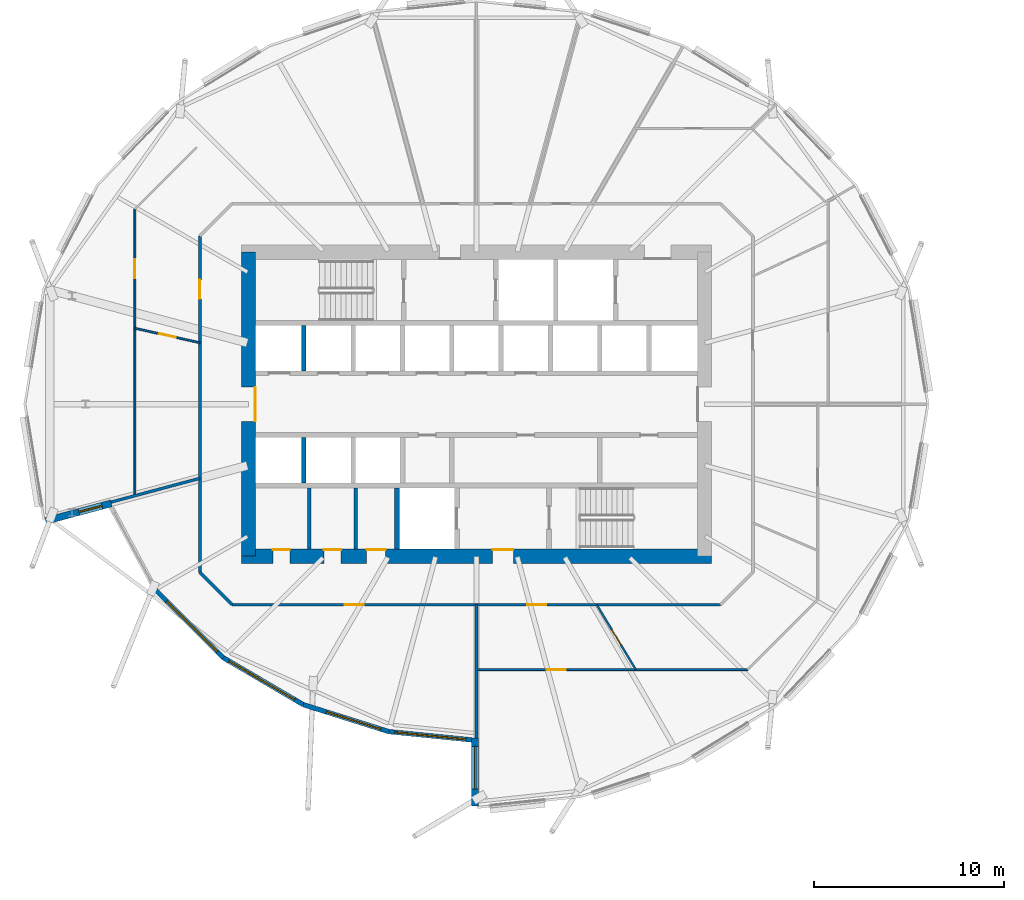
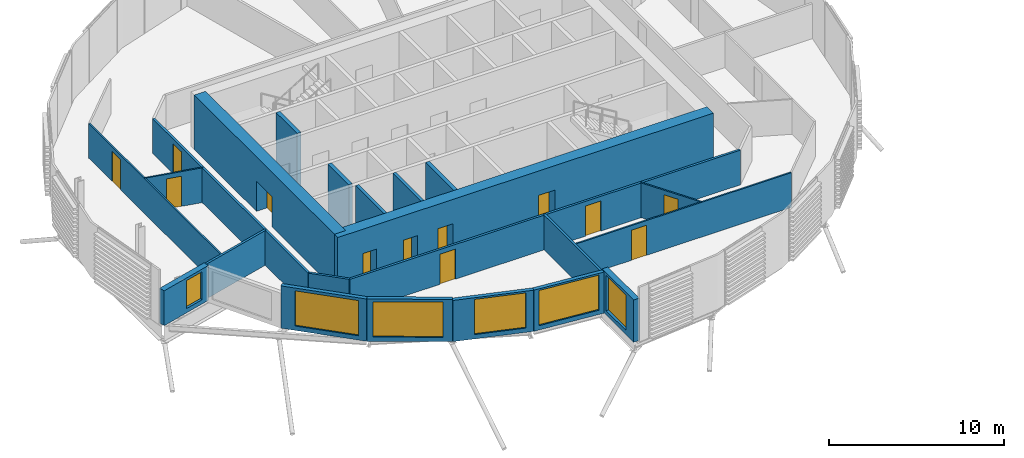
# One storey, part 21 of 40: 22 walls, 12 doors, 6 windows, 18 openings.
"""IFC4 building model written with IfcOpenShell, lengths in metres."""

from ifc_helpers import new_model, si_unit, direction, frame, frame_2d, origin, place, context, subcontext, project, spatial, rectangle, extrude, material, layer, layer_set, type_object, element, fill, save


model = new_model("IFC4")

# Units and contexts
model_context = context("Model", 3, precision=1e-05, world=origin(), true_north=direction((0.0, 1.0)))
body_context = subcontext(model_context, "Body", "Model", "MODEL_VIEW")
ifc_project = project(units=[si_unit("LENGTHUNIT", "METRE"), si_unit("AREAUNIT", "SQUARE_METRE"), si_unit("VOLUMEUNIT", "CUBIC_METRE"), si_unit("PLANEANGLEUNIT", "RADIAN"), si_unit("MASSUNIT", "GRAM", prefix="KILO")], contexts=[model_context])

# Site, building, storey
site_placement = place(None, origin())
site = spatial("IfcSite", under=ifc_project, at=site_placement, CompositionType="ELEMENT")
building_placement = place(site_placement, origin())
building = spatial("IfcBuilding", under=site, at=building_placement, Name="Rimbun Link Towers", CompositionType="ELEMENT")
storey_placement = place(building_placement, frame((0.0, 0.0, 89.199951171875)))
storey = spatial("IfcBuildingStorey", under=building, at=storey_placement, Name="L21", CompositionType="ELEMENT", Elevation=89.199951171875)

# Wall, opening, window
ifc_material_1 = material(Name="Dark enamelled glass spandrel on insulated aluminium backpan", Category="aluminium")
ifc_layer_1 = layer(ifc_material_1, 0.25)
ifc_layer_set_1 = layer_set([ifc_layer_1], Name="CS dark enamelled spandrel wall 250")
wall_type_1 = type_object("IfcWallType", Name="CS dark enamelled spandrel wall 250", PredefinedType="STANDARD", material=ifc_layer_set_1)
wall_1_placement = place(storey_placement, frame((-45.070068359375, -13.342529296875, 0.0), z_axis=(0.0, 0.0, 1.0), x_axis=(-0.706744230568, 0.707469146012, 0.0)))
wall_1 = element("IfcWall", 1, at=wall_1_placement, inside=storey, type_object=wall_type_1, Name="Crease spandrel wall", PredefinedType="STANDARD", context=body_context, shape_type="SweptSolid", body=[
    extrude(rectangle(XDim=5.0517578125, YDim=0.25, at=frame_2d((2.52587890625, 0.0))), origin(), (0.0, 0.0, 1.0), 2.946533203125),
])
opening_1_placement = place(wall_1_placement, frame((0.456298828125, 0.0, 0.300048828125)))
opening_1 = element("IfcOpeningElement", 2, at=opening_1_placement, cuts=wall_1, Name="Opening WR38H245", PredefinedType="OPENING", context=body_context, shape_type="SweptSolid", body=[
    extrude(rectangle(XDim=3.75, YDim=2.449951171875, at=frame_2d((1.875, 1.22509765625))), frame((0.0, 0.135009765625, 0.0), z_axis=(0.0, -1.0, 0.0), x_axis=(1.0, 0.0, 0.0)), (0.0, 0.0, 1.0), 0.27001953125),
])
ifc_material_2 = material(Name="Aluminium framed fixed window, dark tinted low-e glass", Category="aluminium")
window_type_1 = type_object("IfcWindowType", Name="WR ribbon window 3750X2450", PartitioningType="SINGLE_PANEL", PredefinedType="WINDOW", material=ifc_material_2)
window_1_placement = place(opening_1_placement, origin())
window_1 = element("IfcWindow", 3, at=window_1_placement, inside=storey, type_object=window_type_1, Name="Crease ribbon window", OverallHeight=2.449951171875, OverallWidth=3.75, PartitioningType="SINGLE_PANEL", PredefinedType="WINDOW", context=body_context, shape_type="SweptSolid", body=[
    extrude(rectangle(XDim=3.75, YDim=2.449951171875, at=frame_2d((1.875, 1.22509765625))), frame((0.0, 0.030029296875, 0.0), z_axis=(0.0, -1.0, 0.0), x_axis=(1.0, 0.0, 0.0)), (0.0, 0.0, 1.0), 0.06005859375),
])
fill(opening_1, window_1)

wall_2_placement = place(storey_placement, frame((-40.863037109375, -15.810791015625, 0.0), z_axis=(0.0, 0.0, 1.0), x_axis=(-0.862512671963, 0.506035463878, 0.0)))
wall_2 = element("IfcWall", 4, at=wall_2_placement, inside=storey, type_object=wall_type_1, Name="Crease spandrel wall", PredefinedType="STANDARD", context=body_context, shape_type="SweptSolid", body=[
    extrude(rectangle(XDim=4.877685546875, YDim=0.25, at=frame_2d((2.43896484375, 0.0))), origin(), (0.0, 0.0, 1.0), 2.946533203125),
])
opening_2_placement = place(wall_2_placement, frame((0.534912109375, 0.0, 0.300048828125)))
opening_2 = element("IfcOpeningElement", 5, at=opening_2_placement, cuts=wall_2, Name="Opening WR40H245", PredefinedType="OPENING", context=body_context, shape_type="SweptSolid", body=[
    extrude(rectangle(XDim=4.0, YDim=2.449951171875, at=frame_2d((2.0, 1.22509765625))), frame((0.0, 0.135009765625, 0.0), z_axis=(0.0, -1.0, 0.0), x_axis=(1.0, 0.0, 0.0)), (0.0, 0.0, 1.0), 0.27001953125),
])
ifc_material_3 = material(Name="Aluminium framed fixed window, dark tinted low-e glass", Category="aluminium")
window_type_2 = type_object("IfcWindowType", Name="WR ribbon window 4000X2450", PartitioningType="SINGLE_PANEL", PredefinedType="WINDOW", material=ifc_material_3)
window_2_placement = place(opening_2_placement, origin())
window_2 = element("IfcWindow", 6, at=window_2_placement, inside=storey, type_object=window_type_2, Name="Crease ribbon window", OverallHeight=2.449951171875, OverallWidth=4.0, PartitioningType="SINGLE_PANEL", PredefinedType="WINDOW", context=body_context, shape_type="SweptSolid", body=[
    extrude(rectangle(XDim=4.0, YDim=2.449951171875, at=frame_2d((2.0, 1.22509765625))), frame((0.0, 0.030029296875, 0.0), z_axis=(0.0, -1.0, 0.0), x_axis=(1.0, 0.0, 0.0)), (0.0, 0.0, 1.0), 0.06005859375),
])
fill(opening_2, window_2)

wall_3_placement = place(storey_placement, frame((-36.359375, -17.23095703125, 0.0), z_axis=(0.0, 0.0, 1.0), x_axis=(-0.953706819851, 0.300737928719, 0.0)))
wall_3 = element("IfcWall", 7, at=wall_3_placement, inside=storey, type_object=wall_type_1, Name="Crease spandrel wall", PredefinedType="STANDARD", context=body_context, shape_type="SweptSolid", body=[
    extrude(rectangle(XDim=4.72216796875, YDim=0.25, at=frame_2d((2.361083984375, 0.0))), origin(), (0.0, 0.0, 1.0), 2.867919921875),
])
opening_3_placement = place(wall_3_placement, frame((0.446044921875, 0.0, 0.300048828125)))
opening_3 = element("IfcOpeningElement", 8, at=opening_3_placement, cuts=wall_3, Name="Opening WR30H245", PredefinedType="OPENING", context=body_context, shape_type="SweptSolid", body=[
    extrude(rectangle(XDim=3.0, YDim=2.449951171875, at=frame_2d((1.5, 1.22509765625))), frame((0.0, 0.135009765625, 0.0), z_axis=(0.0, -1.0, 0.0), x_axis=(1.0, 0.0, 0.0)), (0.0, 0.0, 1.0), 0.27001953125),
])
ifc_material_4 = material(Name="Aluminium framed fixed window, dark tinted low-e glass", Category="aluminium")
window_type_3 = type_object("IfcWindowType", Name="WR ribbon window 3000X2450", PartitioningType="SINGLE_PANEL", PredefinedType="WINDOW", material=ifc_material_4)
window_3_placement = place(opening_3_placement, origin())
window_3 = element("IfcWindow", 9, at=window_3_placement, inside=storey, type_object=window_type_3, Name="Crease ribbon window", OverallHeight=2.449951171875, OverallWidth=3.0, PartitioningType="SINGLE_PANEL", PredefinedType="WINDOW", context=body_context, shape_type="SweptSolid", body=[
    extrude(rectangle(XDim=3.0, YDim=2.449951171875, at=frame_2d((1.5, 1.22509765625))), frame((0.0, 0.030029296875, 0.0), z_axis=(0.0, -1.0, 0.0), x_axis=(1.0, 0.0, 0.0)), (0.0, 0.0, 1.0), 0.06005859375),
])
fill(opening_3, window_3)

wall_4_placement = place(storey_placement, frame((-32.0, -17.666748046875, 0.0), z_axis=(0.0, 0.0, 1.0), x_axis=(-0.995040500105, 0.09947061451, 0.0)))
wall_4 = element("IfcWall", 10, at=wall_4_placement, inside=storey, type_object=wall_type_1, Name="Crease spandrel wall", PredefinedType="STANDARD", context=body_context, shape_type="SweptSolid", body=[
    extrude(rectangle(XDim=4.381103515625, YDim=0.25, at=frame_2d((2.1904296875, 0.0))), origin(), (0.0, 0.0, 1.0), 2.867919921875),
])
opening_4_placement = place(wall_4_placement, frame((0.3154296875, 0.0, 0.300048828125)))
opening_4 = element("IfcOpeningElement", 11, at=opening_4_placement, cuts=wall_4, Name="Opening WR38H245", PredefinedType="OPENING", context=body_context, shape_type="SweptSolid", body=[
    extrude(rectangle(XDim=3.75, YDim=2.449951171875, at=frame_2d((1.875, 1.22509765625))), frame((0.0, 0.135009765625, 0.0), z_axis=(0.0, -1.0, 0.0), x_axis=(1.0, 0.0, 0.0)), (0.0, 0.0, 1.0), 0.27001953125),
])
window_4_placement = place(opening_4_placement, origin())
window_4 = element("IfcWindow", 12, at=window_4_placement, inside=storey, type_object=window_type_1, Name="Crease ribbon window", OverallHeight=2.449951171875, OverallWidth=3.75, PartitioningType="SINGLE_PANEL", PredefinedType="WINDOW", context=body_context, shape_type="SweptSolid", body=[
    extrude(rectangle(XDim=3.75, YDim=2.449951171875, at=frame_2d((1.875, 1.22509765625))), frame((0.0, 0.030029296875, 0.0), z_axis=(0.0, -1.0, 0.0), x_axis=(1.0, 0.0, 0.0)), (0.0, 0.0, 1.0), 0.06005859375),
])
fill(opening_4, window_4)

ifc_material_5 = material(Name="Dark enamelled glass spandrel on insulated aluminium backpan", Category="aluminium")
ifc_layer_2 = layer(ifc_material_5, 0.3701171875)
ifc_layer_set_2 = layer_set([ifc_layer_2], Name="CS dark enamelled spandrel wall 370")
wall_type_2 = type_object("IfcWallType", Name="CS dark enamelled spandrel wall 370", PredefinedType="STANDARD", material=ifc_layer_set_2)
wall_5_placement = place(storey_placement, frame((-50.96142578125, -5.215087890625, 0.0), z_axis=(0.0, 0.0, 1.0), x_axis=(-0.965929787715, -0.258804260405, 0.0)))
wall_5 = element("IfcWall", 13, at=wall_5_placement, inside=storey, type_object=wall_type_2, Name="Crease spandrel wall", PredefinedType="STANDARD", context=body_context, shape_type="SweptSolid", body=[
    extrude(rectangle(XDim=3.580078125, YDim=0.3701171875, at=frame_2d((1.7900390625, 0.0))), origin(), (0.0, 0.0, 1.0), 2.429931640625),
])
opening_5_placement = place(wall_5_placement, frame((0.516357421875, 0.0, 0.300048828125)))
opening_5 = element("IfcOpeningElement", 14, at=opening_5_placement, cuts=wall_5, Name="Opening WR12H195", PredefinedType="OPENING", context=body_context, shape_type="SweptSolid", body=[
    extrude(rectangle(XDim=1.25, YDim=1.949951171875, at=frame_2d((0.625, 0.97509765625))), frame((0.0, 0.195068359375, 0.0), z_axis=(0.0, -1.0, 0.0), x_axis=(1.0, 0.0, 0.0)), (0.0, 0.0, 1.0), 0.39013671875),
])
ifc_material_6 = material(Name="Aluminium framed fixed window, dark tinted low-e glass", Category="aluminium")
window_type_4 = type_object("IfcWindowType", Name="WR ribbon window 1250X1950", PartitioningType="SINGLE_PANEL", PredefinedType="WINDOW", material=ifc_material_6)
window_5_placement = place(opening_5_placement, origin())
window_5 = element("IfcWindow", 15, at=window_5_placement, inside=storey, type_object=window_type_4, Name="Crease ribbon window", OverallHeight=1.949951171875, OverallWidth=1.25, PartitioningType="SINGLE_PANEL", PredefinedType="WINDOW", context=body_context, shape_type="SweptSolid", body=[
    extrude(rectangle(XDim=1.25, YDim=1.949951171875, at=frame_2d((0.625, 0.97509765625))), frame((0.0, 0.030029296875, 0.0), z_axis=(0.0, -1.0, 0.0), x_axis=(1.0, 0.0, 0.0)), (0.0, 0.0, 1.0), 0.06005859375),
])
fill(opening_5, window_5)

wall_6_placement = place(storey_placement, frame((-31.81494140625, -21.14599609375, 0.0), z_axis=(0.0, 0.0, 1.0), x_axis=(0.0, 1.0, 0.0)))
wall_6 = element("IfcWall", 16, at=wall_6_placement, inside=storey, type_object=wall_type_2, Name="Crease spandrel wall", PredefinedType="STANDARD", context=body_context, shape_type="SweptSolid", body=[
    extrude(rectangle(XDim=3.580078125, YDim=0.3701171875, at=frame_2d((1.7900390625, 0.0))), origin(), (0.0, 0.0, 1.0), 2.946533203125),
])
opening_6_placement = place(wall_6_placement, frame((0.885498046875, 0.0, 0.300048828125)))
opening_6 = element("IfcOpeningElement", 17, at=opening_6_placement, cuts=wall_6, Name="Opening WR22H245", PredefinedType="OPENING", context=body_context, shape_type="SweptSolid", body=[
    extrude(rectangle(XDim=2.25, YDim=2.449951171875, at=frame_2d((1.125, 1.22509765625))), frame((0.0, 0.195068359375, 0.0), z_axis=(0.0, -1.0, 0.0), x_axis=(1.0, 0.0, 0.0)), (0.0, 0.0, 1.0), 0.39013671875),
])
ifc_material_7 = material(Name="Aluminium framed fixed window, dark tinted low-e glass", Category="aluminium")
window_type_5 = type_object("IfcWindowType", Name="WR ribbon window 2250X2450", PartitioningType="SINGLE_PANEL", PredefinedType="WINDOW", material=ifc_material_7)
window_6_placement = place(opening_6_placement, origin())
window_6 = element("IfcWindow", 18, at=window_6_placement, inside=storey, type_object=window_type_5, Name="Crease ribbon window", OverallHeight=2.449951171875, OverallWidth=2.25, PartitioningType="SINGLE_PANEL", PredefinedType="WINDOW", context=body_context, shape_type="SweptSolid", body=[
    extrude(rectangle(XDim=2.25, YDim=2.449951171875, at=frame_2d((1.125, 1.22509765625))), frame((0.0, 0.030029296875, 0.0), z_axis=(0.0, -1.0, 0.0), x_axis=(1.0, 0.0, 0.0)), (0.0, 0.0, 1.0), 0.06005859375),
])
fill(opening_6, window_6)

# Walls
ifc_material_8 = material(Name="Masonry blockwork", Category="masonry")
ifc_layer_3 = layer(ifc_material_8, 0.199951171875)
ifc_layer_set_3 = layer_set([ifc_layer_3], Name="Core partition 200")
wall_type_3 = type_object("IfcWallType", Name="Core partition 200", PredefinedType="PARTITIONING", material=ifc_layer_set_3)
for number, where, z_axis, x_axis, name in (
    (19, (-40.550048828125, -4.39990234375, 0.0), (0.0, 0.0, 1.0), (0.0, -1.0, 0.0), "L21 T1 core wall C1"),
    (20, (-38.10009765625, -4.39990234375, 0.0), (0.0, 0.0, 1.0), (0.0, -1.0, 0.0), "L21 T1 core wall C2"),
):
    element("IfcWall", number, at=place(storey_placement, frame(where, z_axis=z_axis, x_axis=x_axis)), inside=storey, type_object=wall_type_3, Name=name, PredefinedType="PARTITIONING", context=body_context, shape_type="SweptSolid", body=[
        extrude(rectangle(XDim=3.22509765625, YDim=0.199951171875, at=frame_2d((1.612548828125, 0.0))), origin(), (0.0, 0.0, 1.0), 3.800048828125),
    ])

# Wall, openings, doors
ifc_material_9 = material(Name="Concrete C60/75", Category="concrete")
ifc_layer_4 = layer(ifc_material_9, 0.75)
ifc_layer_set_4 = layer_set([ifc_layer_4], Name="Core shear wall 750")
wall_type_4 = type_object("IfcWallType", Name="Core shear wall 750", PredefinedType="SHEAR", material=ifc_layer_set_4)
wall_7_placement = place(storey_placement, frame((-44.125, -8.0, 0.0), z_axis=(0.0, 0.0, 1.0), x_axis=(1.0, 0.0, 0.0)))
wall_7 = element("IfcWall", 21, at=wall_7_placement, inside=storey, type_object=wall_type_4, Name="L21 T1 core wall S", PredefinedType="SHEAR", context=body_context, shape_type="SweptSolid", body=[
    extrude(rectangle(XDim=24.75, YDim=0.75, at=frame_2d((12.375, 0.0))), origin(), (0.0, 0.0, 1.0), 3.800048828125),
])
opening_7_placement = place(wall_7_placement, frame((13.22509765625, 0.0, 0.0)))
opening_7 = element("IfcOpeningElement", 22, at=opening_7_placement, cuts=wall_7, Name="Opening C1DCF01S", PredefinedType="OPENING", context=body_context, shape_type="SweptSolid", body=[
    extrude(rectangle(XDim=1.10009765625, YDim=2.10009765625, at=frame_2d((0.550048828125, 1.050048828125))), frame((0.0, 0.385009765625, 0.0), z_axis=(0.0, -1.0, 0.0), x_axis=(1.0, 0.0, 0.0)), (0.0, 0.0, 1.0), 0.77001953125),
])
opening_8_placement = place(wall_7_placement, frame((1.66259765625, 0.0, 0.0)))
opening_8 = element("IfcOpeningElement", 23, at=opening_8_placement, cuts=wall_7, Name="Opening C1DWC02S", PredefinedType="OPENING", context=body_context, shape_type="SweptSolid", body=[
    extrude(rectangle(XDim=0.89990234375, YDim=2.10009765625, at=frame_2d((0.449951171875, 1.050048828125))), frame((0.0, 0.385009765625, 0.0), z_axis=(0.0, -1.0, 0.0), x_axis=(1.0, 0.0, 0.0)), (0.0, 0.0, 1.0), 0.77001953125),
])
opening_9_placement = place(wall_7_placement, frame((4.35009765625, 0.0, 0.0)))
opening_9 = element("IfcOpeningElement", 24, at=opening_9_placement, cuts=wall_7, Name="Opening C1DWC03S", PredefinedType="OPENING", context=body_context, shape_type="SweptSolid", body=[
    extrude(rectangle(XDim=0.89990234375, YDim=2.10009765625, at=frame_2d((0.449951171875, 1.050048828125))), frame((0.0, 0.385009765625, 0.0), z_axis=(0.0, -1.0, 0.0), x_axis=(1.0, 0.0, 0.0)), (0.0, 0.0, 1.0), 0.77001953125),
])
opening_10_placement = place(wall_7_placement, frame((6.60009765625, 0.0, 0.0)))
opening_10 = element("IfcOpeningElement", 25, at=opening_10_placement, cuts=wall_7, Name="Opening C1DAW04S", PredefinedType="OPENING", context=body_context, shape_type="SweptSolid", body=[
    extrude(rectangle(XDim=1.0, YDim=2.10009765625, at=frame_2d((0.5, 1.050048828125))), frame((0.0, 0.385009765625, 0.0), z_axis=(0.0, -1.0, 0.0), x_axis=(1.0, 0.0, 0.0)), (0.0, 0.0, 1.0), 0.77001953125),
])
ifc_material_10 = material(Name="Timber", Category="wood")
door_type_1 = type_object("IfcDoorType", Name="Accessible WC door", OperationType="SINGLE_SWING_LEFT", PredefinedType="DOOR", material=ifc_material_10)
door_1_placement = place(opening_10_placement, origin())
door_1 = element("IfcDoor", 26, at=door_1_placement, inside=storey, type_object=door_type_1, Name="L21 T1 accessible wc door", OperationType="SINGLE_SWING_RIGHT", OverallHeight=2.10009765625, OverallWidth=1.0, PredefinedType="DOOR", context=body_context, shape_type="SweptSolid", body=[
    extrude(rectangle(XDim=1.0, YDim=2.10009765625, at=frame_2d((0.5, 1.050048828125))), frame((0.0, 0.375, 0.0), z_axis=(0.0, -1.0, 0.0), x_axis=(1.0, 0.0, 0.0)), (0.0, 0.0, 1.0), 0.050048828125),
])
fill(opening_10, door_1)
ifc_material_11 = material(Name="Steel fire door set", Category="steel")
door_type_2 = type_object("IfcDoorType", Name="Core fire door single", OperationType="SINGLE_SWING_LEFT", PredefinedType="DOOR", material=ifc_material_11)
door_2_placement = place(opening_7_placement, origin())
door_2 = element("IfcDoor", 27, at=door_2_placement, inside=storey, type_object=door_type_2, Name="L21 T1 firefighting lobby s door", OperationType="SINGLE_SWING_RIGHT", OverallHeight=2.10009765625, OverallWidth=1.10009765625, PredefinedType="DOOR", context=body_context, shape_type="SweptSolid", body=[
    extrude(rectangle(XDim=1.10009765625, YDim=2.10009765625, at=frame_2d((0.550048828125, 1.050048828125))), frame((0.0, 0.375, 0.0), z_axis=(0.0, -1.0, 0.0), x_axis=(1.0, 0.0, 0.0)), (0.0, 0.0, 1.0), 0.050048828125),
])
fill(opening_7, door_2)
ifc_material_12 = material(Name="Timber", Category="wood")
door_type_3 = type_object("IfcDoorType", Name="WC door", OperationType="SINGLE_SWING_LEFT", PredefinedType="DOOR", material=ifc_material_12)
door_3_placement = place(opening_8_placement, origin())
door_3 = element("IfcDoor", 28, at=door_3_placement, inside=storey, type_object=door_type_3, Name="L21 T1 male wc door", OperationType="SINGLE_SWING_LEFT", OverallHeight=2.10009765625, OverallWidth=0.89990234375, PredefinedType="DOOR", context=body_context, shape_type="SweptSolid", body=[
    extrude(rectangle(XDim=0.89990234375, YDim=2.10009765625, at=frame_2d((0.449951171875, 1.050048828125))), frame((0.0, 0.375, 0.0), z_axis=(0.0, -1.0, 0.0), x_axis=(1.0, 0.0, 0.0)), (0.0, 0.0, 1.0), 0.050048828125),
])
fill(opening_8, door_3)
door_4_placement = place(opening_9_placement, origin())
door_4 = element("IfcDoor", 29, at=door_4_placement, inside=storey, type_object=door_type_3, Name="L21 T1 female wc door", OperationType="SINGLE_SWING_RIGHT", OverallHeight=2.10009765625, OverallWidth=0.89990234375, PredefinedType="DOOR", context=body_context, shape_type="SweptSolid", body=[
    extrude(rectangle(XDim=0.89990234375, YDim=2.10009765625, at=frame_2d((0.449951171875, 1.050048828125))), frame((0.0, 0.375, 0.0), z_axis=(0.0, -1.0, 0.0), x_axis=(1.0, 0.0, 0.0)), (0.0, 0.0, 1.0), 0.050048828125),
])
fill(opening_9, door_4)

# Wall, opening, door
wall_8_placement = place(storey_placement, frame((-43.75, -8.0, 0.0), z_axis=(0.0, 0.0, 1.0), x_axis=(0.0, 1.0, 0.0)))
wall_8 = element("IfcWall", 30, at=wall_8_placement, inside=storey, type_object=wall_type_4, Name="L21 T1 core wall W", PredefinedType="SHEAR", context=body_context, shape_type="SweptSolid", body=[
    extrude(rectangle(XDim=16.0, YDim=0.75, at=frame_2d((8.0, 0.0))), origin(), (0.0, 0.0, 1.0), 3.800048828125),
])
opening_11_placement = place(wall_8_placement, frame((7.10009765625, 0.0, 0.0)))
opening_11 = element("IfcOpeningElement", 31, at=opening_11_placement, cuts=wall_8, Name="Opening C1DCL01W", PredefinedType="OPENING", context=body_context, shape_type="SweptSolid", body=[
    extrude(rectangle(XDim=1.800048828125, YDim=2.10009765625, at=frame_2d((0.89990234375, 1.050048828125))), frame((0.0, 0.385009765625, 0.0), z_axis=(0.0, -1.0, 0.0), x_axis=(1.0, 0.0, 0.0)), (0.0, 0.0, 1.0), 0.77001953125),
])
ifc_material_13 = material(Name="Steel fire door set", Category="steel")
door_type_4 = type_object("IfcDoorType", Name="Core lobby door double", OperationType="DOUBLE_DOOR_SINGLE_SWING", PredefinedType="DOOR", material=ifc_material_13)
door_5_placement = place(opening_11_placement, origin())
door_5 = element("IfcDoor", 32, at=door_5_placement, inside=storey, type_object=door_type_4, Name="L21 T1 lift lobby door", OperationType="DOUBLE_DOOR_SINGLE_SWING", OverallHeight=2.10009765625, OverallWidth=1.800048828125, PredefinedType="DOOR", context=body_context, shape_type="SweptSolid", body=[
    extrude(rectangle(XDim=1.800048828125, YDim=2.10009765625, at=frame_2d((0.89990234375, 1.050048828125))), frame((0.0, -0.3251953125, 0.0), z_axis=(0.0, -1.0, 0.0), x_axis=(1.0, 0.0, 0.0)), (0.0, 0.0, 1.0), 0.050048828125),
])
fill(opening_11, door_5)

# Wall, openings, doors
ifc_material_14 = material(Name="Plasterboard on steel stud, mineral wool", Category="steel")
ifc_layer_5 = layer(ifc_material_14, 0.14990234375)
ifc_layer_set_5 = layer_set([ifc_layer_5], Name="Corridor wall EI 30 150 mm")
wall_type_5 = type_object("IfcWallType", Name="Corridor wall EI 30 150 mm", PredefinedType="PARTITIONING", material=ifc_layer_set_5)
wall_9_placement = place(storey_placement, frame((-18.898193359375, -10.550048828125, 0.0), z_axis=(0.0, 0.0, 1.0), x_axis=(-1.0, 0.0, 0.0)))
wall_9 = element("IfcWall", 33, at=wall_9_placement, inside=storey, type_object=wall_type_5, Name="Corridor wall EI 30 150 mm", PredefinedType="PARTITIONING", context=body_context, shape_type="SweptSolid", body=[
    extrude(rectangle(XDim=25.70361328125, YDim=0.14990234375, at=frame_2d((12.851806640625, 0.0))), origin(), (0.0, 0.0, 1.0), 2.420166015625),
])
opening_12_placement = place(wall_9_placement, frame((9.184326171875, 0.0, 0.0)))
opening_12 = element("IfcOpeningElement", 34, at=opening_12_placement, cuts=wall_9, Name="Opening D01", PredefinedType="OPENING", context=body_context, shape_type="SweptSolid", body=[
    extrude(rectangle(XDim=1.0, YDim=2.10009765625, at=frame_2d((0.5, 1.050048828125))), frame((0.0, 0.0849609375, 0.0), z_axis=(0.0, -1.0, 0.0), x_axis=(1.0, 0.0, 0.0)), (0.0, 0.0, 1.0), 0.169921875),
])
opening_13_placement = place(wall_9_placement, frame((18.777587890625, 0.0, 0.0)))
opening_13 = element("IfcOpeningElement", 35, at=opening_13_placement, cuts=wall_9, Name="Opening D01", PredefinedType="OPENING", context=body_context, shape_type="SweptSolid", body=[
    extrude(rectangle(XDim=1.0, YDim=2.10009765625, at=frame_2d((0.5, 1.050048828125))), frame((0.0, 0.0849609375, 0.0), z_axis=(0.0, -1.0, 0.0), x_axis=(1.0, 0.0, 0.0)), (0.0, 0.0, 1.0), 0.169921875),
])
ifc_material_15 = material(Name="Fire-resisting timber door leaf", Category="wood")
door_type_5 = type_object("IfcDoorType", Name="Fire door FD30S 1000", OperationType="NOTDEFINED", PredefinedType="DOOR", material=ifc_material_15)
door_6_placement = place(opening_12_placement, origin())
door_6 = element("IfcDoor", 36, at=door_6_placement, inside=storey, type_object=door_type_5, Name="Fire door FD30S 1000 to Reception", OperationType="SINGLE_SWING_LEFT", OverallHeight=2.10009765625, OverallWidth=1.0, PredefinedType="DOOR", context=body_context, shape_type="SweptSolid", body=[
    extrude(rectangle(XDim=1.0, YDim=2.10009765625, at=frame_2d((0.5, 1.050048828125))), frame((0.0, 0.02490234375, 0.0), z_axis=(0.0, -1.0, 0.0), x_axis=(1.0, 0.0, 0.0)), (0.0, 0.0, 1.0), 0.050048828125),
])
fill(opening_12, door_6)
door_7_placement = place(opening_13_placement, origin())
door_7 = element("IfcDoor", 37, at=door_7_placement, inside=storey, type_object=door_type_5, Name="Fire door FD30S 1000 to Terrace office", OperationType="SINGLE_SWING_LEFT", OverallHeight=2.10009765625, OverallWidth=1.0, PredefinedType="DOOR", context=body_context, shape_type="SweptSolid", body=[
    extrude(rectangle(XDim=1.0, YDim=2.10009765625, at=frame_2d((0.5, 1.050048828125))), frame((0.0, 0.02490234375, 0.0), z_axis=(0.0, -1.0, 0.0), x_axis=(1.0, 0.0, 0.0)), (0.0, 0.0, 1.0), 0.050048828125),
])
fill(opening_13, door_7)

# Wall
wall_10_placement = place(storey_placement, frame((-46.300048828125, -8.851806640625, 0.0), z_axis=(0.0, 0.0, 1.0), x_axis=(0.707106781187, -0.707106781187, 0.0)))
element("IfcWall", 38, at=wall_10_placement, inside=storey, type_object=wall_type_5, Name="Corridor wall EI 30 150 mm", PredefinedType="PARTITIONING", context=body_context, shape_type="SweptSolid", body=[
    extrude(rectangle(XDim=2.401611328125, YDim=0.14990234375, at=frame_2d((1.20068359375, 0.0))), origin(), (0.0, 0.0, 1.0), 2.420166015625),
])

# Wall, opening, door
wall_11_placement = place(storey_placement, frame((-46.300048828125, -8.851806640625, 0.0), z_axis=(0.0, 0.0, 1.0), x_axis=(0.0, 1.0, 0.0)))
wall_11 = element("IfcWall", 39, at=wall_11_placement, inside=storey, type_object=wall_type_5, Name="Corridor wall EI 30 150 mm", PredefinedType="PARTITIONING", context=body_context, shape_type="SweptSolid", body=[
    extrude(rectangle(XDim=17.70361328125, YDim=0.14990234375, at=frame_2d((8.851806640625, 0.0))), origin(), (0.0, 0.0, 1.0), 2.420166015625),
])
opening_14_placement = place(wall_11_placement, frame((14.39501953125, 0.0, 0.0)))
opening_14 = element("IfcOpeningElement", 40, at=opening_14_placement, cuts=wall_11, Name="Opening D01", PredefinedType="OPENING", context=body_context, shape_type="SweptSolid", body=[
    extrude(rectangle(XDim=1.0, YDim=2.10009765625, at=frame_2d((0.5, 1.050048828125))), frame((0.0, 0.0849609375, 0.0), z_axis=(0.0, -1.0, 0.0), x_axis=(1.0, 0.0, 0.0)), (0.0, 0.0, 1.0), 0.169921875),
])
door_8_placement = place(opening_14_placement, origin())
door_8 = element("IfcDoor", 41, at=door_8_placement, inside=storey, type_object=door_type_5, Name="Fire door FD30S 1000 to Reception", OperationType="SINGLE_SWING_RIGHT", OverallHeight=2.10009765625, OverallWidth=1.0, PredefinedType="DOOR", context=body_context, shape_type="SweptSolid", body=[
    extrude(rectangle(XDim=1.0, YDim=2.10009765625, at=frame_2d((0.5, 1.050048828125))), frame((0.0, 0.02490234375, 0.0), z_axis=(0.0, -1.0, 0.0), x_axis=(1.0, 0.0, 0.0)), (0.0, 0.0, 1.0), 0.050048828125),
])
fill(opening_14, door_8)

ifc_material_16 = material(Name="Plasterboard on steel stud", Category="steel")
ifc_layer_6 = layer(ifc_material_16, 0.10009765625)
ifc_layer_set_6 = layer_set([ifc_layer_6], Name="Plasterboard partition 100 mm")
wall_type_6 = type_object("IfcWallType", Name="Plasterboard partition 100 mm", PredefinedType="PARTITIONING", material=ifc_layer_set_6)
wall_12_placement = place(storey_placement, frame((-25.415283203125, -10.550048828125, 0.0), z_axis=(0.0, 0.0, 1.0), x_axis=(0.514774739867, -0.857325473315, 0.0)))
wall_12 = element("IfcWall", 42, at=wall_12_placement, inside=storey, type_object=wall_type_6, Name="Plasterboard partition 100 mm", PredefinedType="PARTITIONING", context=body_context, shape_type="SweptSolid", body=[
    extrude(rectangle(XDim=3.989013671875, YDim=0.10009765625, at=frame_2d((1.99462890625, 0.0))), origin(), (0.0, 0.0, 1.0), 2.420166015625),
])
opening_15_placement = place(wall_12_placement, frame((1.544677734375, 0.0, 0.0)))
opening_15 = element("IfcOpeningElement", 43, at=opening_15_placement, cuts=wall_12, Name="Opening D04", PredefinedType="OPENING", context=body_context, shape_type="SweptSolid", body=[
    extrude(rectangle(XDim=0.89990234375, YDim=2.10009765625, at=frame_2d((0.449951171875, 1.050048828125))), frame((0.0, 0.06005859375, 0.0), z_axis=(0.0, -1.0, 0.0), x_axis=(1.0, 0.0, 0.0)), (0.0, 0.0, 1.0), 0.1201171875),
])
ifc_material_17 = material(Name="Timber door leaf", Category="wood")
door_type_6 = type_object("IfcDoorType", Name="Flush door 900", OperationType="NOTDEFINED", PredefinedType="DOOR", material=ifc_material_17)
door_9_placement = place(opening_15_placement, origin())
door_9 = element("IfcDoor", 44, at=door_9_placement, inside=storey, type_object=door_type_6, Name="Flush door 900 to Meeting room", OperationType="SINGLE_SWING_RIGHT", OverallHeight=2.10009765625, OverallWidth=0.89990234375, PredefinedType="DOOR", context=body_context, shape_type="SweptSolid", body=[
    extrude(rectangle(XDim=0.89990234375, YDim=2.10009765625, at=frame_2d((0.449951171875, 1.050048828125))), frame((0.0, 0.02490234375, 0.0), z_axis=(0.0, -1.0, 0.0), x_axis=(1.0, 0.0, 0.0)), (0.0, 0.0, 1.0), 0.050048828125),
])
fill(opening_15, door_9)

wall_13_placement = place(storey_placement, frame((-17.481689453125, -13.969970703125, 0.0), z_axis=(0.0, 0.0, 1.0), x_axis=(-1.0, 0.0, 0.0)))
wall_13 = element("IfcWall", 45, at=wall_13_placement, inside=storey, type_object=wall_type_6, Name="Plasterboard partition 100 mm", PredefinedType="PARTITIONING", context=body_context, shape_type="SweptSolid", body=[
    extrude(rectangle(XDim=14.268310546875, YDim=0.10009765625, at=frame_2d((7.13427734375, 0.0))), origin(), (0.0, 0.0, 1.0), 2.420166015625),
])
opening_16_placement = place(wall_13_placement, frame((9.55908203125, 0.0, 0.0)))
opening_16 = element("IfcOpeningElement", 46, at=opening_16_placement, cuts=wall_13, Name="Opening D03", PredefinedType="OPENING", context=body_context, shape_type="SweptSolid", body=[
    extrude(rectangle(XDim=1.0, YDim=2.10009765625, at=frame_2d((0.5, 1.050048828125))), frame((0.0, 0.06005859375, 0.0), z_axis=(0.0, -1.0, 0.0), x_axis=(1.0, 0.0, 0.0)), (0.0, 0.0, 1.0), 0.1201171875),
])
ifc_material_18 = material(Name="Timber door leaf", Category="wood")
door_type_7 = type_object("IfcDoorType", Name="Flush door 1000", OperationType="NOTDEFINED", PredefinedType="DOOR", material=ifc_material_18)
door_10_placement = place(opening_16_placement, origin())
door_10 = element("IfcDoor", 47, at=door_10_placement, inside=storey, type_object=door_type_7, Name="Flush door 1000 to Open office", OperationType="SINGLE_SWING_LEFT", OverallHeight=2.10009765625, OverallWidth=1.0, PredefinedType="DOOR", context=body_context, shape_type="SweptSolid", body=[
    extrude(rectangle(XDim=1.0, YDim=2.10009765625, at=frame_2d((0.5, 1.050048828125))), frame((0.0, 0.02490234375, 0.0), z_axis=(0.0, -1.0, 0.0), x_axis=(1.0, 0.0, 0.0)), (0.0, 0.0, 1.0), 0.050048828125),
])
fill(opening_16, door_10)

wall_14_placement = place(storey_placement, frame((-46.300048828125, 3.235107421875, 0.0), z_axis=(0.0, 0.0, 1.0), x_axis=(-0.976155896555, 0.217070646614, 0.0)))
wall_14 = element("IfcWall", 48, at=wall_14_placement, inside=storey, type_object=wall_type_6, Name="Plasterboard partition 100 mm", PredefinedType="PARTITIONING", context=body_context, shape_type="SweptSolid", body=[
    extrude(rectangle(XDim=3.50341796875, YDim=0.10009765625, at=frame_2d((1.751708984375, 0.0))), origin(), (0.0, 0.0, 1.0), 2.420166015625),
])
opening_17_placement = place(wall_14_placement, frame((1.3017578125, 0.0, 0.0)))
opening_17 = element("IfcOpeningElement", 49, at=opening_17_placement, cuts=wall_14, Name="Opening D04", PredefinedType="OPENING", context=body_context, shape_type="SweptSolid", body=[
    extrude(rectangle(XDim=0.89990234375, YDim=2.10009765625, at=frame_2d((0.449951171875, 1.050048828125))), frame((0.0, 0.06005859375, 0.0), z_axis=(0.0, -1.0, 0.0), x_axis=(1.0, 0.0, 0.0)), (0.0, 0.0, 1.0), 0.1201171875),
])
door_11_placement = place(opening_17_placement, origin())
door_11 = element("IfcDoor", 50, at=door_11_placement, inside=storey, type_object=door_type_6, Name="Flush door 900 to Meeting room", OperationType="SINGLE_SWING_RIGHT", OverallHeight=2.10009765625, OverallWidth=0.89990234375, PredefinedType="DOOR", context=body_context, shape_type="SweptSolid", body=[
    extrude(rectangle(XDim=0.89990234375, YDim=2.10009765625, at=frame_2d((0.449951171875, 1.050048828125))), frame((0.0, 0.02490234375, 0.0), z_axis=(0.0, -1.0, 0.0), x_axis=(1.0, 0.0, 0.0)), (0.0, 0.0, 1.0), 0.050048828125),
])
fill(opening_17, door_11)

wall_15_placement = place(storey_placement, frame((-49.719970703125, -4.81494140625, 0.0), z_axis=(0.0, 0.0, 1.0), x_axis=(0.0, 1.0, 0.0)))
wall_15 = element("IfcWall", 51, at=wall_15_placement, inside=storey, type_object=wall_type_6, Name="Plasterboard partition 100 mm", PredefinedType="PARTITIONING", context=body_context, shape_type="SweptSolid", body=[
    extrude(rectangle(XDim=15.083251953125, YDim=0.10009765625, at=frame_2d((7.54150390625, 0.0))), origin(), (0.0, 0.0, 1.0), 2.420166015625),
])
opening_18_placement = place(wall_15_placement, frame((11.431640625, 0.0, 0.0)))
opening_18 = element("IfcOpeningElement", 52, at=opening_18_placement, cuts=wall_15, Name="Opening D03", PredefinedType="OPENING", context=body_context, shape_type="SweptSolid", body=[
    extrude(rectangle(XDim=1.0, YDim=2.10009765625, at=frame_2d((0.5, 1.050048828125))), frame((0.0, 0.06005859375, 0.0), z_axis=(0.0, -1.0, 0.0), x_axis=(1.0, 0.0, 0.0)), (0.0, 0.0, 1.0), 0.1201171875),
])
door_12_placement = place(opening_18_placement, origin())
door_12 = element("IfcDoor", 53, at=door_12_placement, inside=storey, type_object=door_type_7, Name="Flush door 1000 to Open office", OperationType="SINGLE_SWING_LEFT", OverallHeight=2.10009765625, OverallWidth=1.0, PredefinedType="DOOR", context=body_context, shape_type="SweptSolid", body=[
    extrude(rectangle(XDim=1.0, YDim=2.10009765625, at=frame_2d((0.5, 1.050048828125))), frame((0.0, 0.02490234375, 0.0), z_axis=(0.0, -1.0, 0.0), x_axis=(1.0, 0.0, 0.0)), (0.0, 0.0, 1.0), 0.050048828125),
])
fill(opening_18, door_12)

# Walls
ifc_material_19 = material(Name="Concrete C60/75", Category="concrete")
ifc_layer_7 = layer(ifc_material_19, 0.25)
ifc_layer_set_7 = layer_set([ifc_layer_7], Name="Shaft wall 250")
wall_type_7 = type_object("IfcWallType", Name="Shaft wall 250", PredefinedType="SHEAR", material=ifc_layer_set_7)
for number, where, z_axis, x_axis, name in (
    (54, (-40.83056640625, 1.75, 0.0), (0.0, 0.0, 1.0), (0.0, 1.0, 0.0), "L21 T1 core wall DN0"),
    (55, (-40.83056640625, -4.14990234375, 0.0), (0.0, 0.0, 1.0), (0.0, 1.0, 0.0), "L21 T1 core wall DS0"),
):
    element("IfcWall", number, at=place(storey_placement, frame(where, z_axis=z_axis, x_axis=x_axis)), inside=storey, type_object=wall_type_7, Name=name, PredefinedType="SHEAR", context=body_context, shape_type="SweptSolid", body=[
        extrude(rectangle(XDim=2.39990234375, YDim=0.25, at=frame_2d((1.199951171875, 0.0))), origin(), (0.0, 0.0, 1.0), 3.800048828125),
    ])
wall_16_placement = place(storey_placement, frame((-35.925048828125, -4.39990234375, 0.0), z_axis=(0.0, 0.0, 1.0), x_axis=(0.0, -1.0, 0.0)))
element("IfcWall", 56, at=wall_16_placement, inside=storey, type_object=wall_type_7, Name="L21 T1 core wall B3", PredefinedType="SHEAR", context=body_context, shape_type="SweptSolid", body=[
    extrude(rectangle(XDim=3.22509765625, YDim=0.25, at=frame_2d((1.612548828125, 0.0))), origin(), (0.0, 0.0, 1.0), 3.800048828125),
])
ifc_material_20 = material(Name="Plasterboard on steel stud, mineral wool", Category="steel")
ifc_layer_8 = layer(ifc_material_20, 0.14990234375)
ifc_layer_set_8 = layer_set([ifc_layer_8], Name="Tenancy separation wall EI 60 150 mm")
wall_type_8 = type_object("IfcWallType", Name="Tenancy separation wall EI 60 150 mm", PredefinedType="PARTITIONING", material=ifc_layer_set_8)
wall_17_placement = place(storey_placement, frame((-46.300048828125, -3.898681640625, 0.0), z_axis=(0.0, 0.0, 1.0), x_axis=(-0.965931401586, -0.258798236914, 0.0)))
element("IfcWall", 57, at=wall_17_placement, inside=storey, type_object=wall_type_8, Name="Tenancy separation wall EI 60 150 mm", PredefinedType="PARTITIONING", context=body_context, shape_type="SweptSolid", body=[
    extrude(rectangle(XDim=4.84326171875, YDim=0.14990234375, at=frame_2d((2.421630859375, 0.0))), origin(), (0.0, 0.0, 1.0), 2.420166015625),
])
wall_18_placement = place(storey_placement, frame((-31.75, -10.550048828125, 0.0), z_axis=(0.0, 0.0, 1.0), x_axis=(0.0, -1.0, 0.0)))
element("IfcWall", 58, at=wall_18_placement, inside=storey, type_object=wall_type_8, Name="Tenancy separation wall EI 60 150 mm", PredefinedType="PARTITIONING", context=body_context, shape_type="SweptSolid", body=[
    extrude(rectangle(XDim=7.015869140625, YDim=0.14990234375, at=frame_2d((3.5078125, 0.0))), origin(), (0.0, 0.0, 1.0), 2.420166015625),
])

save(model, "model.ifc")
